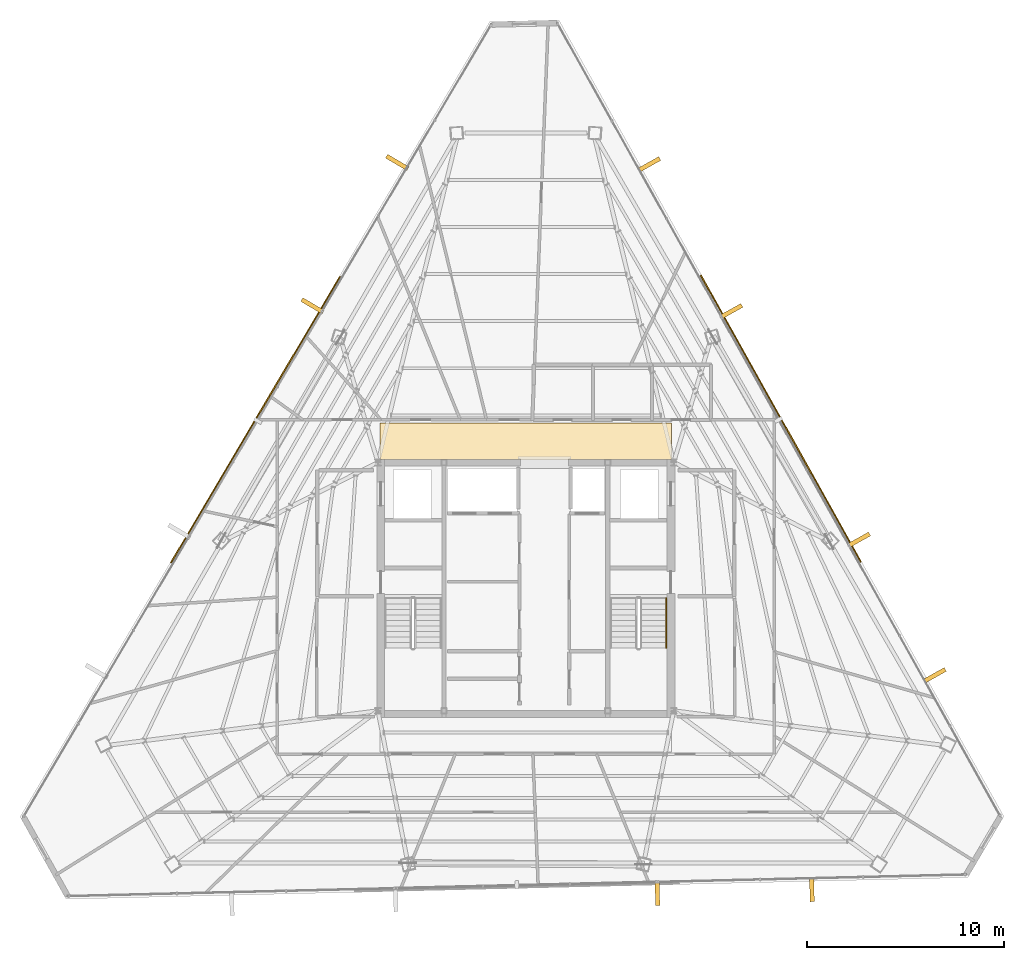
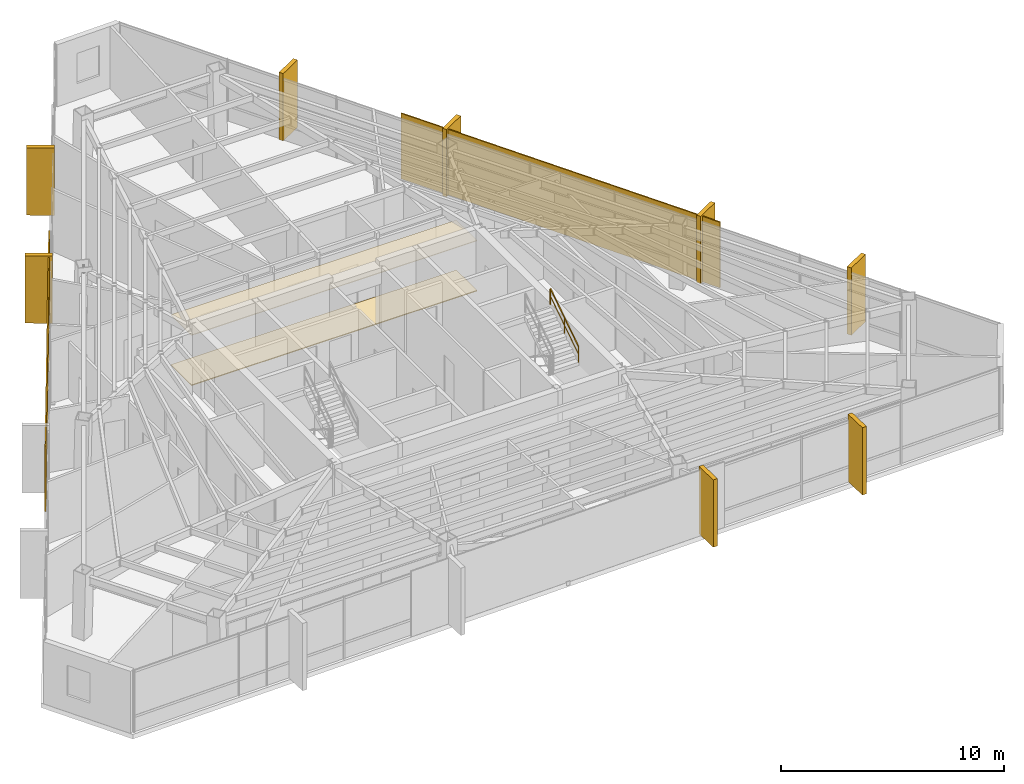
# One storey, part 48 of 48: 10 coverings, 2 shading devices, 1 railing.
"""IFC4 building model written with IfcOpenShell, lengths in metres."""

from ifc_helpers import new_model, si_unit, direction, frame, origin, origin_2d, place, context, subcontext, project, spatial, polyline, rectangle, outline, extrude, source, transform, mapped, material, layer, layer_set, type_object, type_shapes, element, save


model = new_model("IFC4")

# Units and contexts
model_context = context("Model", 3, precision=1e-05, world=origin(), true_north=direction((0.0, 1.0)))
body_context = subcontext(model_context, "Body", "Model", "MODEL_VIEW")
ifc_project = project(units=[si_unit("LENGTHUNIT", "METRE"), si_unit("AREAUNIT", "SQUARE_METRE"), si_unit("VOLUMEUNIT", "CUBIC_METRE"), si_unit("PLANEANGLEUNIT", "RADIAN"), si_unit("MASSUNIT", "GRAM", prefix="KILO")], contexts=[model_context])

# Site, building, storey
site_placement = place(None, origin())
site = spatial("IfcSite", under=ifc_project, at=site_placement, CompositionType="ELEMENT")
building_placement = place(site_placement, origin())
building = spatial("IfcBuilding", under=site, at=building_placement, Name="Caelisora Broadcast Tower", CompositionType="ELEMENT")
storey_placement = place(building_placement, frame((0.0, 0.0, 270.0)))
storey = spatial("IfcBuildingStorey", under=building, at=storey_placement, Name="L71", CompositionType="ELEMENT", Elevation=270.0)

# Coverings
ifc_material_1 = material(Name="Perforated Mineral-Fibre Acoustic Ceiling Tile", Category="gypsum")
ifc_layer_1 = layer(ifc_material_1, 0.034912109375, Name="Perforated Mineral-Fibre Acoustic Ceiling Tile")
ifc_layer_set_1 = layer_set([ifc_layer_1], Name="Perforated Mineral-Fibre Acoustic Ceiling Tile")
covering_type_1 = type_object("IfcCoveringType", Name="CE-1", PredefinedType="CEILING", material=ifc_layer_set_1)
covering_1_placement = place(storey_placement, frame((0.0, 0.0, 2.75)))
element("IfcCovering", 1, at=covering_1_placement, inside=storey, type_object=covering_type_1, Name="L71 acoustic corridor ceiling CE-1 (N)", PredefinedType="CEILING", context=body_context, shape_type="SweptSolid", body=[
    extrude(outline(polyline([(30.60009765625, 30.14990234375), (45.39990234375, 30.14990234375), (45.39990234375, 32.0), (30.60009765625, 32.0), (30.60009765625, 30.14990234375)])), origin(), (0.0, 0.0, 1.0), 0.034912109375),
])
ifc_material_2 = material(Name="Anti-Static Broadcast Raised Access Floor Panel", Category="steel")
ifc_layer_2 = layer(ifc_material_2, 0.044921875, Name="Anti-Static Broadcast Raised Access Floor Panel")
ifc_layer_set_2 = layer_set([ifc_layer_2], Name="Anti-Static Broadcast Raised Access Floor Panel")
covering_type_2 = type_object("IfcCoveringType", Name="FL-1", PredefinedType="FLOORING", material=ifc_layer_set_2)
covering_2_placement = place(storey_placement, origin())
element("IfcCovering", 2, at=covering_2_placement, inside=storey, type_object=covering_type_2, Name="L71 broadcast raised access floor FL-1 (N)", PredefinedType="FLOORING", context=body_context, shape_type="SweptSolid", body=[
    extrude(outline(polyline([(30.60009765625, 30.14990234375), (45.39990234375, 30.14990234375), (45.39990234375, 32.0), (30.60009765625, 32.0), (30.60009765625, 30.14990234375)])), origin(), (0.0, 0.0, 1.0), 0.044921875),
])

# Railing
ifc_material_3 = material(Name="Stainless Steel Grade 316 Tubular Handrail", Category="steel")
ifc_layer_3 = layer(ifc_material_3, 0.048095703125, Name="Stainless Steel Grade 316 Tubular Handrail")
ifc_layer_set_3 = layer_set([ifc_layer_3], Name="Stainless Steel Grade 316 Tubular Handrail")
railing_type = type_object("IfcRailingType", Name="HR-1", PredefinedType="HANDRAIL", material=ifc_layer_set_3)
railing_placement = place(storey_placement, frame((45.1298828125, 20.580078125, 2.007568359375)))
element("IfcRailing", 3, at=railing_placement, inside=storey, type_object=railing_type, Name="L71 ST-2 stair handrail 2", PredefinedType="HANDRAIL", context=body_context, shape_type="SweptSolid", body=[
    extrude(rectangle(XDim=0.048095703125, YDim=0.048095703125, at=origin_2d()), frame((0.0, 0.0, 0.8759765625), z_axis=(0.0, 0.837786554691, 0.545997883492), x_axis=(-1.0, 0.0, 0.0)), (0.0, 0.0, 1.0), 3.008056640625),
    extrude(rectangle(XDim=0.03125, YDim=0.03125, at=origin_2d()), frame((0.0, 0.0, 0.449951171875), z_axis=(0.0, 0.837786554691, 0.545997883492), x_axis=(-1.0, 0.0, 0.0)), (0.0, 0.0, 1.0), 3.008056640625),
    extrude(rectangle(XDim=0.0419921875, YDim=0.0419921875, at=origin_2d()), origin(), (0.0, 0.0, 1.0), 0.851806640625),
    extrude(rectangle(XDim=0.0419921875, YDim=0.0419921875, at=origin_2d()), frame((0.0, 1.260009765625, 0.8212890625)), (0.0, 0.0, 1.0), 0.851806640625),
    extrude(rectangle(XDim=0.0419921875, YDim=0.0419921875, at=origin_2d()), frame((0.0, 2.52001953125, 1.642333984375)), (0.0, 0.0, 1.0), 0.851806640625),
])

# Coverings
ifc_material_4 = material(Name="Kiln-Fired Terracotta Spandrel Rainscreen Cladding", Category="ceramic")
ifc_layer_4 = layer(ifc_material_4, 0.044921875, Name="Kiln-Fired Terracotta Spandrel Rainscreen Cladding")
ifc_layer_set_4 = layer_set([ifc_layer_4], Name="Kiln-Fired Terracotta Spandrel Rainscreen Cladding")
covering_type_3 = type_object("IfcCoveringType", Name="CL-1", PredefinedType="CLADDING", material=ifc_layer_set_4)
shared_shape_1 = source(origin(), body_context, "Body", "SweptSolid", [
    extrude(rectangle(XDim=0.219970703125, YDim=1.25, at=origin_2d()), origin(), (0.0, 0.0, 1.0), 3.68994140625),
])
type_shapes(covering_type_3, [shared_shape_1])
for number, where, z_axis, x_axis, name in (
    (4, (44.2509765625, 45.108642578125, -0.02001953125), (0.0, 0.0, 1.0), (0.487707298065, -0.873007211547, 0.0), "L71 vertical solar fin cladding #1-1"),
    (5, (48.414306640625, 37.6572265625, -0.02001953125), (0.0, 0.0, 1.0), (0.487707298065, -0.873007211547, 0.0), "L71 vertical solar fin cladding #1-2"),
    (6, (54.8916015625, 26.063720703125, -0.02001953125), (0.0, 0.0, 1.0), (0.487707298065, -0.873007211547, 0.0), "L71 vertical solar fin cladding #1-3"),
    (7, (58.732177734375, 19.189453125, -0.02001953125), (0.0, 0.0, 1.0), (0.487707298065, -0.873007211547, 0.0), "L71 vertical solar fin cladding #1-4"),
    (8, (52.513671875, 8.3369140625, -0.02001953125), (0.0, 0.0, 1.0), (-0.999709957315, -0.024083215021, 0.0), "L71 vertical solar fin cladding #2-1"),
    (9, (44.67578125, 8.1484375, -0.02001953125), (0.0, 0.0, 1.0), (-0.999709957315, -0.024083215021, 0.0), "L71 vertical solar fin cladding #2-2"),
    (10, (27.1767578125, 37.939208984375, -0.02001953125), (0.0, 0.0, 1.0), (0.508590662521, 0.861008442465, 0.0), "L71 vertical solar fin cladding #3-3"),
    (11, (31.47412109375, 45.215087890625, -0.02001953125), (0.0, 0.0, 1.0), (0.508590662521, 0.861008442465, 0.0), "L71 vertical solar fin cladding #3-4"),
):
    element("IfcCovering", number, at=place(storey_placement, frame(where, z_axis=z_axis, x_axis=x_axis)), inside=storey, type_object=covering_type_3, Name=name, PredefinedType="CLADDING", context=body_context, shape_type="MappedRepresentation", body=[
        mapped(shared_shape_1, transform((0.0, 0.0, 0.0), scale=1.0)),
    ])

# Shading devices
ifc_material_5 = material(Name="Perforated Glazed Terracotta Baguette Solar Screen", Category="ceramic")
ifc_layer_5 = layer(ifc_material_5, 0.06494140625, Name="Perforated Glazed Terracotta Baguette Solar Screen")
ifc_layer_set_5 = layer_set([ifc_layer_5], Name="Perforated Glazed Terracotta Baguette Solar Screen")
shading_device_type = type_object("IfcShadingDeviceType", Name="SS-1", PredefinedType="USERDEFINED", material=ifc_layer_set_5)
shared_shape_2 = source(origin(), body_context, "Body", "SweptSolid", [
    extrude(rectangle(XDim=16.864990234375, YDim=0.06494140625, at=origin_2d()), origin(), (0.0, 0.0, 1.0), 3.590087890625),
])
shading_device_1_placement = place(storey_placement, frame((24.288818359375, 32.165771484375, 0.0), z_axis=(0.0, 0.0, 1.0), x_axis=(-0.508590662521, -0.861008442465, 0.0)))
element("IfcShadingDevice", 12, at=shading_device_1_placement, inside=storey, type_object=shading_device_type, Name="L71 perforated terracotta solar screen #1", ObjectType="SOLAR SCREEN", PredefinedType="USERDEFINED", context=body_context, shape_type="MappedRepresentation", body=[
    mapped(shared_shape_2, transform((0.0, 0.0, 0.0), scale=1.0)),
])
shared_shape_3 = source(origin(), body_context, "Body", "SweptSolid", [
    extrude(rectangle(XDim=16.659912109375, YDim=0.06494140625, at=origin_2d()), origin(), (0.0, 0.0, 1.0), 3.590087890625),
])
type_shapes(shading_device_type, [shared_shape_2, shared_shape_3])
shading_device_2_placement = place(storey_placement, frame((50.9365234375, 32.219970703125, 0.0), z_axis=(0.0, 0.0, 1.0), x_axis=(-0.487707298065, 0.873007211547, 0.0)))
element("IfcShadingDevice", 13, at=shading_device_2_placement, inside=storey, type_object=shading_device_type, Name="L71 perforated terracotta solar screen #3", ObjectType="SOLAR SCREEN", PredefinedType="USERDEFINED", context=body_context, shape_type="MappedRepresentation", body=[
    mapped(shared_shape_3, transform((0.0, 0.0, 0.0), scale=1.0)),
])

save(model, "model.ifc")
